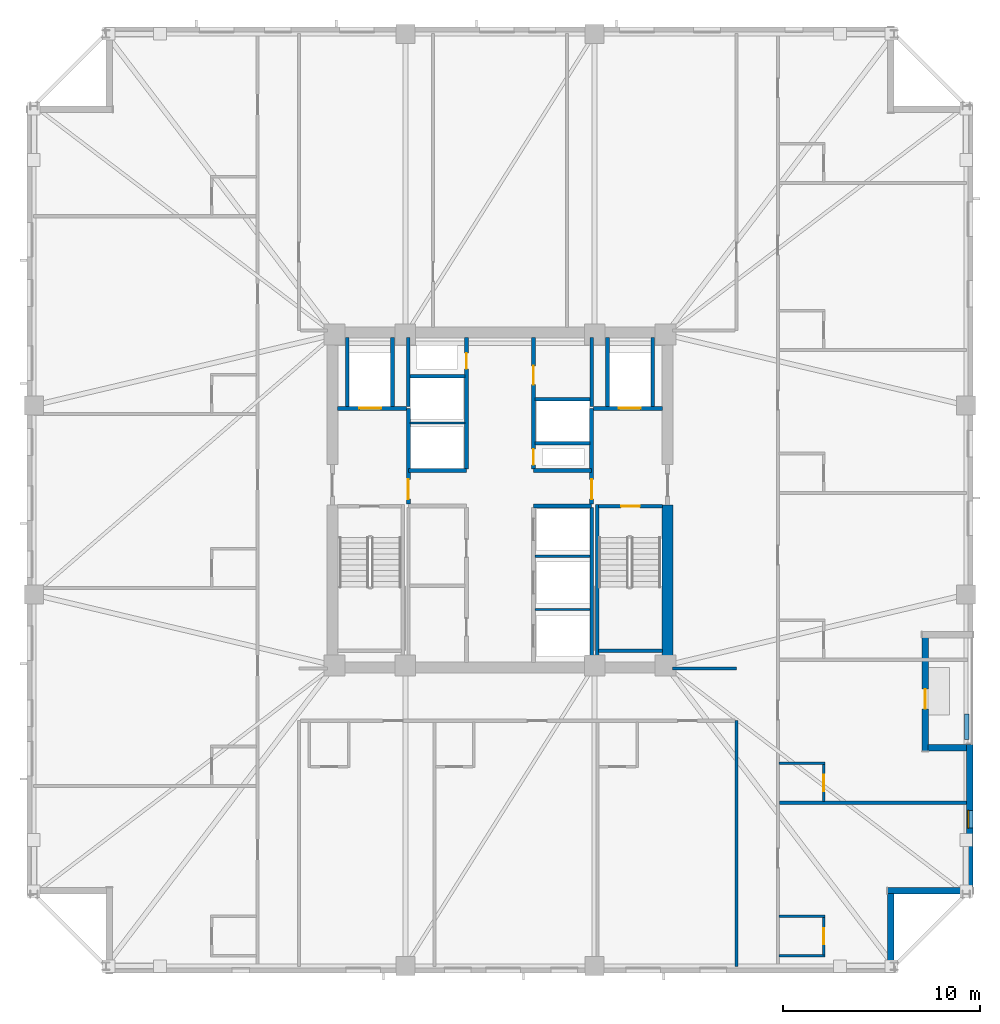
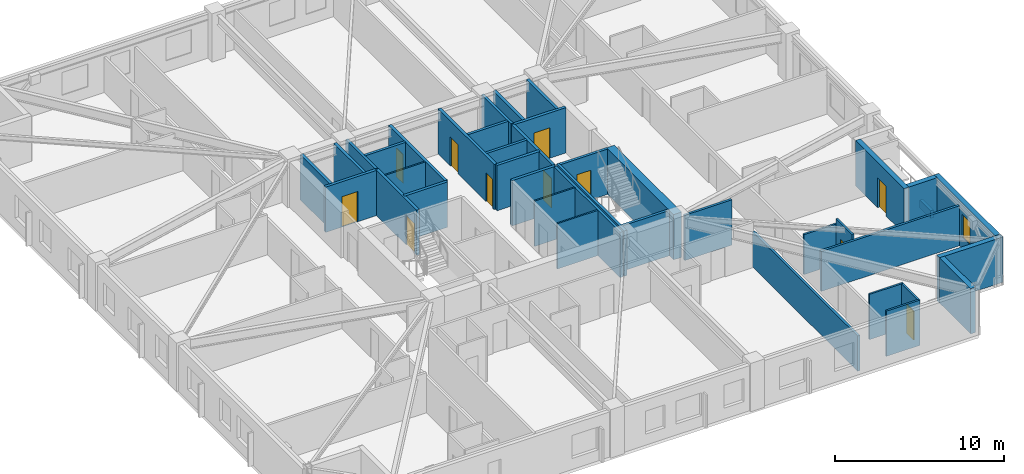
# One storey, part 4 of 11: 40 walls, 11 doors, 1 window, 12 openings.
"""IFC4 building model written with IfcOpenShell, lengths in metres."""

from ifc_helpers import new_model, si_unit, direction, frame, frame_2d, origin, place, context, subcontext, project, spatial, rectangle, extrude, material, layer, layer_set, type_object, element, fill, save


model = new_model("IFC4")

# Units and contexts
model_context = context("Model", 3, precision=1e-05, world=origin(), true_north=direction((0.0, 1.0)))
body_context = subcontext(model_context, "Body", "Model", "MODEL_VIEW")
ifc_project = project(units=[si_unit("LENGTHUNIT", "METRE"), si_unit("AREAUNIT", "SQUARE_METRE"), si_unit("VOLUMEUNIT", "CUBIC_METRE"), si_unit("PLANEANGLEUNIT", "RADIAN"), si_unit("MASSUNIT", "GRAM", prefix="KILO")], contexts=[model_context])

# Site, building, storey
site_placement = place(None, origin())
site = spatial("IfcSite", under=ifc_project, at=site_placement, CompositionType="ELEMENT")
building_placement = place(site_placement, origin())
building = spatial("IfcBuilding", under=site, at=building_placement, Name="Cairnveth Concourse Tower", CompositionType="ELEMENT")
storey_placement = place(building_placement, frame((0.0, 0.0, 172.5)))
storey = spatial("IfcBuildingStorey", under=building, at=storey_placement, Name="L47", CompositionType="ELEMENT", Elevation=172.5)

# Walls
ifc_material_1 = material(Name="Gypsum Plasterboard Partition", Category="gypsum")
ifc_layer_1 = layer(ifc_material_1, 0.159912109375)
ifc_layer_set_1 = layer_set([ifc_layer_1], Name="Gypsum Plasterboard Partition")
wall_type_1 = type_object("IfcWallType", Name="ACOUSTIC PARTY WALL 180", PredefinedType="PARTITIONING", material=ifc_layer_set_1)
wall_1_placement = place(storey_placement, frame((64.0, 15.324951171875, 0.0), z_axis=(0.0, 0.0, 1.0), x_axis=(0.0, 1.0, 0.0)))
element("IfcWall", 1, at=wall_1_placement, inside=storey, type_object=wall_type_1, Name="Interior Wall IW-L47-042", PredefinedType="PARTITIONING", context=body_context, shape_type="SweptSolid", body=[
    extrude(rectangle(XDim=12.47509765625, YDim=0.159912109375, at=frame_2d((6.237548828125, 0.0))), origin(), (0.0, 0.0, 1.0), 2.554931640625),
])
wall_2_placement = place(storey_placement, frame((60.764892578125, 30.449951171875, 0.0), z_axis=(0.0, 0.0, 1.0), x_axis=(1.0, 0.0, 0.0)))
element("IfcWall", 2, at=wall_2_placement, inside=storey, type_object=wall_type_1, Name="Interior Wall IW-L47-044", PredefinedType="PARTITIONING", context=body_context, shape_type="SweptSolid", body=[
    extrude(rectangle(XDim=3.235107421875, YDim=0.159912109375, at=frame_2d((1.61767578125, 0.0))), origin(), (0.0, 0.0, 1.0), 3.280029296875),
])
wall_3_placement = place(storey_placement, frame((66.179931640625, 23.63916015625, 0.0), z_axis=(0.0, 0.0, 1.0), x_axis=(1.0, 0.0, 0.0)))
element("IfcWall", 3, at=wall_3_placement, inside=storey, type_object=wall_type_1, Name="Interior Wall IW-L47-076", PredefinedType="PARTITIONING", context=body_context, shape_type="SweptSolid", body=[
    extrude(rectangle(XDim=9.4951171875, YDim=0.159912109375, at=frame_2d((4.74755859375, 0.0))), origin(), (0.0, 0.0, 1.0), 2.89599609375),
])
ifc_material_2 = material(Name="Concrete N80 (80 MPa)", Category="concrete")
ifc_layer_2 = layer(ifc_material_2, 0.550048828125)
ifc_layer_set_2 = layer_set([ifc_layer_2], Name="Concrete N80 (80 MPa)")
wall_type_2 = type_object("IfcWallType", Name="CORE SHEAR WALL 550", PredefinedType="SHEAR", material=ifc_layer_set_2)
wall_4_placement = place(storey_placement, frame((60.5, 30.764892578125, 0.0), z_axis=(0.0, 0.0, 1.0), x_axis=(0.0, 1.0, 0.0)))
element("IfcWall", 4, at=wall_4_placement, inside=storey, type_object=wall_type_2, Name="Core East Shear Wall S L47", PredefinedType="SHEAR", context=body_context, shape_type="SweptSolid", body=[
    extrude(rectangle(XDim=7.985107421875, YDim=0.550048828125, at=frame_2d((3.99267578125, 0.0))), origin(), (0.0, 0.0, 1.0), 3.280029296875),
])
ifc_material_3 = material(Name="Concrete N50 (50 MPa)", Category="concrete")
ifc_layer_3 = layer(ifc_material_3, 0.179931640625)
ifc_layer_set_3 = layer_set([ifc_layer_3], Name="Concrete N50 (50 MPa)")
wall_type_3 = type_object("IfcWallType", Name="FIRE SHAFT WALL 180", PredefinedType="SOLIDWALL", material=ifc_layer_set_3)
wall_5_placement = place(storey_placement, frame((56.64990234375, 30.760009765625, 0.0), z_axis=(0.0, 0.0, 1.0), x_axis=(0.0, 1.0, 0.0)))
element("IfcWall", 5, at=wall_5_placement, inside=storey, type_object=wall_type_3, Name="Interior Wall IW-L47-027", PredefinedType="SOLIDWALL", context=body_context, shape_type="SweptSolid", body=[
    extrude(rectangle(XDim=7.85498046875, YDim=0.179931640625, at=frame_2d((3.927490234375, 0.0))), origin(), (0.0, 0.0, 1.0), 3.280029296875),
])
wall_6_placement = place(storey_placement, frame((47.35009765625, 43.735107421875, 0.0), z_axis=(0.0, 0.0, 1.0), x_axis=(0.0, 1.0, 0.0)))
element("IfcWall", 6, at=wall_6_placement, inside=storey, type_object=wall_type_3, Name="Interior Wall IW-L47-030", PredefinedType="SOLIDWALL", context=body_context, shape_type="SweptSolid", body=[
    extrude(rectangle(XDim=3.5048828125, YDim=0.179931640625, at=frame_2d((1.75244140625, 0.0))), origin(), (0.0, 0.0, 1.0), 3.280029296875),
])
wall_7_placement = place(storey_placement, frame((47.425048828125, 45.280029296875, 0.0), z_axis=(0.0, 0.0, 1.0), x_axis=(1.0, 0.0, 0.0)))
element("IfcWall", 7, at=wall_7_placement, inside=storey, type_object=wall_type_3, Name="Interior Wall IW-L47-032", PredefinedType="SOLIDWALL", context=body_context, shape_type="SweptSolid", body=[
    extrude(rectangle(XDim=2.7900390625, YDim=0.179931640625, at=frame_2d((1.39501953125, 0.0))), origin(), (0.0, 0.0, 1.0), 3.280029296875),
])
wall_8_placement = place(storey_placement, frame((56.64990234375, 43.735107421875, 0.0), z_axis=(0.0, 0.0, 1.0), x_axis=(0.0, 1.0, 0.0)))
element("IfcWall", 8, at=wall_8_placement, inside=storey, type_object=wall_type_3, Name="Interior Wall IW-L47-033", PredefinedType="SOLIDWALL", context=body_context, shape_type="SweptSolid", body=[
    extrude(rectangle(XDim=3.5048828125, YDim=0.179931640625, at=frame_2d((1.75244140625, 0.0))), origin(), (0.0, 0.0, 1.0), 3.280029296875),
])
wall_9_placement = place(storey_placement, frame((53.784912109375, 41.8798828125, 0.0), z_axis=(0.0, 0.0, 1.0), x_axis=(1.0, 0.0, 0.0)))
element("IfcWall", 9, at=wall_9_placement, inside=storey, type_object=wall_type_3, Name="Interior Wall IW-L47-034", PredefinedType="SOLIDWALL", context=body_context, shape_type="SweptSolid", body=[
    extrude(rectangle(XDim=2.780029296875, YDim=0.179931640625, at=frame_2d((1.39013671875, 0.0))), origin(), (0.0, 0.0, 1.0), 3.280029296875),
])
wall_10_placement = place(storey_placement, frame((53.784912109375, 44.1201171875, 0.0), z_axis=(0.0, 0.0, 1.0), x_axis=(1.0, 0.0, 0.0)))
element("IfcWall", 10, at=wall_10_placement, inside=storey, type_object=wall_type_3, Name="Interior Wall IW-L47-035", PredefinedType="SOLIDWALL", context=body_context, shape_type="SweptSolid", body=[
    extrude(rectangle(XDim=2.7900390625, YDim=0.179931640625, at=frame_2d((1.39501953125, 0.0))), origin(), (0.0, 0.0, 1.0), 3.280029296875),
])

# Wall, opening, door
wall_11_placement = place(storey_placement, frame((57.0048828125, 38.68994140625, 0.0), z_axis=(0.0, 0.0, 1.0), x_axis=(1.0, 0.0, 0.0)))
wall_11 = element("IfcWall", 11, at=wall_11_placement, inside=storey, type_object=wall_type_3, Name="Stair ST-2 Shaft Wall NEAR L47", PredefinedType="SOLIDWALL", context=body_context, shape_type="SweptSolid", body=[
    extrude(rectangle(XDim=3.230224609375, YDim=0.179931640625, at=frame_2d((1.615234375, 0.0))), origin(), (0.0, 0.0, 1.0), 3.280029296875),
])
opening_1_placement = place(wall_11_placement, frame((1.139892578125, 0.0, 0.0)))
opening_1 = element("IfcOpeningElement", 12, at=opening_1_placement, cuts=wall_11, Name="Opening ID12", PredefinedType="OPENING", context=body_context, shape_type="SweptSolid", body=[
    extrude(rectangle(XDim=0.949951171875, YDim=2.14990234375, at=frame_2d((0.47509765625, 1.074951171875))), frame((0.0, 0.099853515625, 0.0), z_axis=(0.0, -1.0, 0.0), x_axis=(1.0, 0.0, 0.0)), (0.0, 0.0, 1.0), 0.199951171875),
])
ifc_material_4 = material(Name="Steel Grade 350", Category="steel")
door_type_1 = type_object("IfcDoorType", Name="FIRE STAIR DOOR 950X2150", OperationType="NOTDEFINED", PredefinedType="DOOR", material=ifc_material_4)
door_1_placement = place(opening_1_placement, origin())
door_1 = element("IfcDoor", 13, at=door_1_placement, inside=storey, type_object=door_type_1, Name="Stair ST-2 Fire Door L47", OperationType="SINGLE_SWING_RIGHT", OverallHeight=2.14990234375, OverallWidth=0.949951171875, PredefinedType="DOOR", context=body_context, shape_type="SweptSolid", body=[
    extrude(rectangle(XDim=0.949951171875, YDim=2.14990234375, at=frame_2d((0.47509765625, 1.074951171875))), frame((0.0, 0.02490234375, 0.0), z_axis=(0.0, -1.0, 0.0), x_axis=(1.0, 0.0, 0.0)), (0.0, 0.0, 1.0), 0.050048828125),
])
fill(opening_1, door_1)

# Walls
wall_12_placement = place(storey_placement, frame((57.0048828125, 31.360107421875, 0.0), z_axis=(0.0, 0.0, 1.0), x_axis=(1.0, 0.0, 0.0)))
element("IfcWall", 14, at=wall_12_placement, inside=storey, type_object=wall_type_3, Name="Stair ST-2 Shaft Wall FAR L47", PredefinedType="SOLIDWALL", context=body_context, shape_type="SweptSolid", body=[
    extrude(rectangle(XDim=3.230224609375, YDim=0.179931640625, at=frame_2d((1.615234375, 0.0))), origin(), (0.0, 0.0, 1.0), 3.280029296875),
])
wall_13_placement = place(storey_placement, frame((56.929931640625, 38.780029296875, 0.0), z_axis=(0.0, 0.0, 1.0), x_axis=(0.0, -1.0, 0.0)))
element("IfcWall", 15, at=wall_13_placement, inside=storey, type_object=wall_type_3, Name="Stair ST-2 Shaft Wall LEFT L47", PredefinedType="SOLIDWALL", context=body_context, shape_type="SweptSolid", body=[
    extrude(rectangle(XDim=8.01708984375, YDim=0.179931640625, at=frame_2d((4.008544921875, 0.0))), origin(), (0.0, 0.0, 1.0), 3.280029296875),
])
ifc_layer_4 = layer(ifc_material_3, 0.199951171875)
ifc_layer_set_4 = layer_set([ifc_layer_4], Name="Concrete N50 (50 MPa)")
wall_type_4 = type_object("IfcWallType", Name="FIRE SHAFT WALL 200", PredefinedType="SOLIDWALL", material=ifc_layer_set_4)
for number, where, z_axis, x_axis, name in (
    (16, (47.35009765625, 40.5, 0.0), (0.0, 0.0, 1.0), (1.0, 0.0, 0.0), "Interior Wall IW-L47-008"),
    (17, (53.699951171875, 38.699951171875, 0.0), (0.0, 0.0, 1.0), (1.0, 0.0, 0.0), "Interior Wall IW-L47-009"),
    (18, (53.699951171875, 40.5, 0.0), (0.0, 0.0, 1.0), (1.0, 0.0, 0.0), "Interior Wall IW-L47-010"),
):
    element("IfcWall", number, at=place(storey_placement, frame(where, z_axis=z_axis, x_axis=x_axis)), inside=storey, type_object=wall_type_4, Name=name, PredefinedType="SOLIDWALL", context=body_context, shape_type="SweptSolid", body=[
        extrude(rectangle(XDim=2.949951171875, YDim=0.199951171875, at=frame_2d((1.47509765625, 0.0))), origin(), (0.0, 0.0, 1.0), 3.280029296875),
    ])

# Wall, opening, door
wall_14_placement = place(storey_placement, frame((50.300048828125, 40.5849609375, 0.0), z_axis=(0.0, 0.0, 1.0), x_axis=(0.0, 1.0, 0.0)))
wall_14 = element("IfcWall", 19, at=wall_14_placement, inside=storey, type_object=wall_type_4, Name="Interior Wall IW-L47-013", PredefinedType="SOLIDWALL", context=body_context, shape_type="SweptSolid", body=[
    extrude(rectangle(XDim=6.655029296875, YDim=0.199951171875, at=frame_2d((3.32763671875, 0.0))), origin(), (0.0, 0.0, 1.0), 3.280029296875),
])
opening_2_placement = place(wall_14_placement, frame((5.06494140625, 0.0, 0.0)))
opening_2 = element("IfcOpeningElement", 20, at=opening_2_placement, cuts=wall_14, Name="Opening ID24", PredefinedType="OPENING", context=body_context, shape_type="SweptSolid", body=[
    extrude(rectangle(XDim=0.800048828125, YDim=2.080078125, at=frame_2d((0.39990234375, 1.0400390625))), frame((0.0, 0.10986328125, 0.0), z_axis=(0.0, -1.0, 0.0), x_axis=(1.0, 0.0, 0.0)), (0.0, 0.0, 1.0), 0.219970703125),
])
door_type_2 = type_object("IfcDoorType", Name="RISER ACCESS DOOR 800X2100", OperationType="NOTDEFINED", PredefinedType="DOOR", material=ifc_material_4)
door_2_placement = place(opening_2_placement, origin())
door_2 = element("IfcDoor", 21, at=door_2_placement, inside=storey, type_object=door_type_2, Name="NW Electrical Riser Access Door L47", OperationType="SINGLE_SWING_RIGHT", OverallHeight=2.080078125, OverallWidth=0.800048828125, PredefinedType="DOOR", context=body_context, shape_type="SweptSolid", body=[
    extrude(rectangle(XDim=0.800048828125, YDim=2.080078125, at=frame_2d((0.39990234375, 1.0400390625))), frame((0.0, 0.02490234375, 0.0), z_axis=(0.0, -1.0, 0.0), x_axis=(1.0, 0.0, 0.0)), (0.0, 0.0, 1.0), 0.050048828125),
])
fill(opening_2, door_2)

# Wall, openings, doors
wall_15_placement = place(storey_placement, frame((53.699951171875, 40.5849609375, 0.0), z_axis=(0.0, 0.0, 1.0), x_axis=(0.0, 1.0, 0.0)))
wall_15 = element("IfcWall", 22, at=wall_15_placement, inside=storey, type_object=wall_type_4, Name="Interior Wall IW-L47-014", PredefinedType="SOLIDWALL", context=body_context, shape_type="SweptSolid", body=[
    extrude(rectangle(XDim=6.655029296875, YDim=0.199951171875, at=frame_2d((3.32763671875, 0.0))), origin(), (0.0, 0.0, 1.0), 3.280029296875),
])
opening_3_placement = place(wall_15_placement, frame((0.195068359375, 0.0, 0.0)))
opening_3 = element("IfcOpeningElement", 23, at=opening_3_placement, cuts=wall_15, Name="Opening ID24", PredefinedType="OPENING", context=body_context, shape_type="SweptSolid", body=[
    extrude(rectangle(XDim=0.800048828125, YDim=2.080078125, at=frame_2d((0.39990234375, 1.0400390625))), frame((0.0, 0.10986328125, 0.0), z_axis=(0.0, -1.0, 0.0), x_axis=(1.0, 0.0, 0.0)), (0.0, 0.0, 1.0), 0.219970703125),
])
opening_4_placement = place(wall_15_placement, frame((4.264892578125, 0.0, 0.0)))
opening_4 = element("IfcOpeningElement", 24, at=opening_4_placement, cuts=wall_15, Name="Opening ID25", PredefinedType="OPENING", context=body_context, shape_type="SweptSolid", body=[
    extrude(rectangle(XDim=0.949951171875, YDim=2.1201171875, at=frame_2d((0.47509765625, 1.06005859375))), frame((0.0, 0.10986328125, 0.0), z_axis=(0.0, -1.0, 0.0), x_axis=(1.0, 0.0, 0.0)), (0.0, 0.0, 1.0), 0.219970703125),
])
door_type_3 = type_object("IfcDoorType", Name="CORE ACCESSIBLE FIRE DOOR 950X2120", OperationType="NOTDEFINED", PredefinedType="DOOR", material=ifc_material_4)
door_3_placement = place(opening_4_placement, origin())
door_3 = element("IfcDoor", 25, at=door_3_placement, inside=storey, type_object=door_type_3, Name="Core NE Accessible WC Door L47", OperationType="SINGLE_SWING_RIGHT", OverallHeight=2.1201171875, OverallWidth=0.949951171875, PredefinedType="DOOR", context=body_context, shape_type="SweptSolid", body=[
    extrude(rectangle(XDim=0.949951171875, YDim=2.1201171875, at=frame_2d((0.47509765625, 1.06005859375))), frame((0.0, 0.02490234375, 0.0), z_axis=(0.0, -1.0, 0.0), x_axis=(1.0, 0.0, 0.0)), (0.0, 0.0, 1.0), 0.050048828125),
])
fill(opening_4, door_3)
door_4_placement = place(opening_3_placement, origin())
door_4 = element("IfcDoor", 26, at=door_4_placement, inside=storey, type_object=door_type_2, Name="Hydraulic Riser Door L47", OperationType="SINGLE_SWING_LEFT", OverallHeight=2.080078125, OverallWidth=0.800048828125, PredefinedType="DOOR", context=body_context, shape_type="SweptSolid", body=[
    extrude(rectangle(XDim=0.800048828125, YDim=2.080078125, at=frame_2d((0.39990234375, 1.0400390625))), frame((0.0, 0.02490234375, 0.0), z_axis=(0.0, -1.0, 0.0), x_axis=(1.0, 0.0, 0.0)), (0.0, 0.0, 1.0), 0.050048828125),
])
fill(opening_3, door_4)

# Wall, opening, door
wall_16_placement = place(storey_placement, frame((47.35009765625, 38.784912109375, 0.0), z_axis=(0.0, 0.0, 1.0), x_axis=(0.0, 1.0, 0.0)))
wall_16 = element("IfcWall", 27, at=wall_16_placement, inside=storey, type_object=wall_type_4, Name="Interior Wall IW-L47-016", PredefinedType="SOLIDWALL", context=body_context, shape_type="SweptSolid", body=[
    extrude(rectangle(XDim=4.864990234375, YDim=0.199951171875, at=frame_2d((2.4326171875, 0.0))), origin(), (0.0, 0.0, 1.0), 3.280029296875),
])
opening_5_placement = place(wall_16_placement, frame((0.264892578125, 0.0, 0.0)))
opening_5 = element("IfcOpeningElement", 28, at=opening_5_placement, cuts=wall_16, Name="Opening ID07", PredefinedType="OPENING", context=body_context, shape_type="SweptSolid", body=[
    extrude(rectangle(XDim=1.0, YDim=2.14990234375, at=frame_2d((0.5, 1.074951171875))), frame((0.0, 0.10986328125, 0.0), z_axis=(0.0, -1.0, 0.0), x_axis=(1.0, 0.0, 0.0)), (0.0, 0.0, 1.0), 0.219970703125),
])
door_type_4 = type_object("IfcDoorType", Name="FIRE CORRIDOR DOOR 1000X2150", OperationType="NOTDEFINED", PredefinedType="DOOR", material=ifc_material_4)
door_5_placement = place(opening_5_placement, origin())
door_5 = element("IfcDoor", 29, at=door_5_placement, inside=storey, type_object=door_type_4, Name="FF Lobby West to Lift Lobby Door L47", OperationType="SINGLE_SWING_RIGHT", OverallHeight=2.14990234375, OverallWidth=1.0, PredefinedType="DOOR", context=body_context, shape_type="SweptSolid", body=[
    extrude(rectangle(XDim=1.0, YDim=2.14990234375, at=frame_2d((0.5, 1.074951171875))), frame((0.0, 0.02490234375, 0.0), z_axis=(0.0, -1.0, 0.0), x_axis=(1.0, 0.0, 0.0)), (0.0, 0.0, 1.0), 0.050048828125),
])
fill(opening_5, door_5)

wall_17_placement = place(storey_placement, frame((43.760009765625, 43.64990234375, 0.0), z_axis=(0.0, 0.0, 1.0), x_axis=(1.0, 0.0, 0.0)))
wall_17 = element("IfcWall", 30, at=wall_17_placement, inside=storey, type_object=wall_type_4, Name="Interior Wall IW-L47-017", PredefinedType="SOLIDWALL", context=body_context, shape_type="SweptSolid", body=[
    extrude(rectangle(XDim=3.5048828125, YDim=0.199951171875, at=frame_2d((1.75244140625, 0.0))), origin(), (0.0, 0.0, 1.0), 3.280029296875),
])
opening_6_placement = place(wall_17_placement, frame((1.110107421875, 0.0, 0.0)))
opening_6 = element("IfcOpeningElement", 31, at=opening_6_placement, cuts=wall_17, Name="Opening LD-1", PredefinedType="OPENING", context=body_context, shape_type="SweptSolid", body=[
    extrude(rectangle(XDim=1.10009765625, YDim=2.199951171875, at=frame_2d((0.550048828125, 1.10009765625))), frame((0.0, 0.10986328125, 0.0), z_axis=(0.0, -1.0, 0.0), x_axis=(1.0, 0.0, 0.0)), (0.0, 0.0, 1.0), 0.219970703125),
])
ifc_material_5 = material(Name="Architectural Bronze Anodised Aluminium 6063-T6", Category="aluminium")
door_type_5 = type_object("IfcDoorType", Name="LIFT LANDING DOOR 1100X2200", OperationType="SLIDING_TO_LEFT", PredefinedType="DOOR", material=ifc_material_5)
door_6_placement = place(opening_6_placement, origin())
door_6 = element("IfcDoor", 32, at=door_6_placement, inside=storey, type_object=door_type_5, Name="Lift FFL1 Landing Door L47", OperationType="SLIDING_TO_LEFT", OverallHeight=2.199951171875, OverallWidth=1.10009765625, PredefinedType="DOOR", context=body_context, shape_type="SweptSolid", body=[
    extrude(rectangle(XDim=1.10009765625, YDim=2.199951171875, at=frame_2d((0.550048828125, 1.10009765625))), frame((0.0, 0.02490234375, 0.0), z_axis=(0.0, -1.0, 0.0), x_axis=(1.0, 0.0, 0.0)), (0.0, 0.0, 1.0), 0.050048828125),
])
fill(opening_6, door_6)

# Walls
for number, where, z_axis, x_axis, name in (
    (33, (46.550048828125, 43.735107421875, 0.0), (0.0, 0.0, 1.0), (0.0, 1.0, 0.0), "Interior Wall IW-L47-018"),
    (34, (44.25, 43.735107421875, 0.0), (0.0, 0.0, 1.0), (0.0, 1.0, 0.0), "Interior Wall IW-L47-019"),
):
    element("IfcWall", number, at=place(storey_placement, frame(where, z_axis=z_axis, x_axis=x_axis)), inside=storey, type_object=wall_type_4, Name=name, PredefinedType="SOLIDWALL", context=body_context, shape_type="SweptSolid", body=[
        extrude(rectangle(XDim=3.5048828125, YDim=0.199951171875, at=frame_2d((1.75244140625, 0.0))), origin(), (0.0, 0.0, 1.0), 3.280029296875),
    ])

# Wall, opening, door
wall_18_placement = place(storey_placement, frame((56.64990234375, 38.784912109375, 0.0), z_axis=(0.0, 0.0, 1.0), x_axis=(0.0, 1.0, 0.0)))
wall_18 = element("IfcWall", 35, at=wall_18_placement, inside=storey, type_object=wall_type_4, Name="Interior Wall IW-L47-021", PredefinedType="SOLIDWALL", context=body_context, shape_type="SweptSolid", body=[
    extrude(rectangle(XDim=4.864990234375, YDim=0.199951171875, at=frame_2d((2.4326171875, 0.0))), origin(), (0.0, 0.0, 1.0), 3.280029296875),
])
opening_7_placement = place(wall_18_placement, frame((0.264892578125, 0.0, 0.0)))
opening_7 = element("IfcOpeningElement", 36, at=opening_7_placement, cuts=wall_18, Name="Opening ID07", PredefinedType="OPENING", context=body_context, shape_type="SweptSolid", body=[
    extrude(rectangle(XDim=1.0, YDim=2.14990234375, at=frame_2d((0.5, 1.074951171875))), frame((0.0, 0.10986328125, 0.0), z_axis=(0.0, -1.0, 0.0), x_axis=(1.0, 0.0, 0.0)), (0.0, 0.0, 1.0), 0.219970703125),
])
door_7_placement = place(opening_7_placement, origin())
door_7 = element("IfcDoor", 37, at=door_7_placement, inside=storey, type_object=door_type_4, Name="FF Lobby East to Lift Lobby Door L47", OperationType="SINGLE_SWING_LEFT", OverallHeight=2.14990234375, OverallWidth=1.0, PredefinedType="DOOR", context=body_context, shape_type="SweptSolid", body=[
    extrude(rectangle(XDim=1.0, YDim=2.14990234375, at=frame_2d((0.5, 1.074951171875))), frame((0.0, 0.02490234375, 0.0), z_axis=(0.0, -1.0, 0.0), x_axis=(1.0, 0.0, 0.0)), (0.0, 0.0, 1.0), 0.050048828125),
])
fill(opening_7, door_7)

wall_19_placement = place(storey_placement, frame((56.735107421875, 43.64990234375, 0.0), z_axis=(0.0, 0.0, 1.0), x_axis=(1.0, 0.0, 0.0)))
wall_19 = element("IfcWall", 38, at=wall_19_placement, inside=storey, type_object=wall_type_4, Name="Interior Wall IW-L47-022", PredefinedType="SOLIDWALL", context=body_context, shape_type="SweptSolid", body=[
    extrude(rectangle(XDim=3.5048828125, YDim=0.199951171875, at=frame_2d((1.75244140625, 0.0))), origin(), (0.0, 0.0, 1.0), 3.280029296875),
])
opening_8_placement = place(wall_19_placement, frame((1.294921875, 0.0, 0.0)))
opening_8 = element("IfcOpeningElement", 39, at=opening_8_placement, cuts=wall_19, Name="Opening LD-1", PredefinedType="OPENING", context=body_context, shape_type="SweptSolid", body=[
    extrude(rectangle(XDim=1.10009765625, YDim=2.199951171875, at=frame_2d((0.550048828125, 1.10009765625))), frame((0.0, 0.10986328125, 0.0), z_axis=(0.0, -1.0, 0.0), x_axis=(1.0, 0.0, 0.0)), (0.0, 0.0, 1.0), 0.219970703125),
])
door_8_placement = place(opening_8_placement, origin())
door_8 = element("IfcDoor", 40, at=door_8_placement, inside=storey, type_object=door_type_5, Name="Lift FFL2 Landing Door L47", OperationType="SLIDING_TO_LEFT", OverallHeight=2.199951171875, OverallWidth=1.10009765625, PredefinedType="DOOR", context=body_context, shape_type="SweptSolid", body=[
    extrude(rectangle(XDim=1.10009765625, YDim=2.199951171875, at=frame_2d((0.550048828125, 1.10009765625))), frame((0.0, 0.02490234375, 0.0), z_axis=(0.0, -1.0, 0.0), x_axis=(1.0, 0.0, 0.0)), (0.0, 0.0, 1.0), 0.050048828125),
])
fill(opening_8, door_8)

# Walls
for number, where, z_axis, x_axis, name in (
    (41, (57.449951171875, 43.735107421875, 0.0), (0.0, 0.0, 1.0), (0.0, 1.0, 0.0), "Interior Wall IW-L47-023"),
    (42, (59.75, 43.735107421875, 0.0), (0.0, 0.0, 1.0), (0.0, 1.0, 0.0), "Interior Wall IW-L47-024"),
):
    element("IfcWall", number, at=place(storey_placement, frame(where, z_axis=z_axis, x_axis=x_axis)), inside=storey, type_object=wall_type_4, Name=name, PredefinedType="SOLIDWALL", context=body_context, shape_type="SweptSolid", body=[
        extrude(rectangle(XDim=3.5048828125, YDim=0.199951171875, at=frame_2d((1.75244140625, 0.0))), origin(), (0.0, 0.0, 1.0), 3.280029296875),
    ])
ifc_layer_5 = layer(ifc_material_1, 0.110107421875)
ifc_layer_set_5 = layer_set([ifc_layer_5], Name="Gypsum Plasterboard Partition")
wall_type_5 = type_object("IfcWallType", Name="SHAFT DIVIDER WALL 140", PredefinedType="PARTITIONING", material=ifc_layer_set_5)
for number, where, z_axis, x_axis, name in (
    (43, (53.784912109375, 33.449951171875, 0.0), (0.0, 0.0, 1.0), (1.0, 0.0, 0.0), "Interior Wall IW-L47-028"),
    (44, (53.784912109375, 36.14990234375, 0.0), (0.0, 0.0, 1.0), (1.0, 0.0, 0.0), "Interior Wall IW-L47-029"),
):
    element("IfcWall", number, at=place(storey_placement, frame(where, z_axis=z_axis, x_axis=x_axis)), inside=storey, type_object=wall_type_5, Name=name, PredefinedType="PARTITIONING", context=body_context, shape_type="SweptSolid", body=[
        extrude(rectangle(XDim=2.7900390625, YDim=0.110107421875, at=frame_2d((1.39501953125, 0.0))), origin(), (0.0, 0.0, 1.0), 3.280029296875),
    ])
wall_20_placement = place(storey_placement, frame((47.43505859375, 42.89990234375, 0.0), z_axis=(0.0, 0.0, 1.0), x_axis=(1.0, 0.0, 0.0)))
element("IfcWall", 45, at=wall_20_placement, inside=storey, type_object=wall_type_5, Name="Interior Wall IW-L47-031", PredefinedType="PARTITIONING", context=body_context, shape_type="SweptSolid", body=[
    extrude(rectangle(XDim=2.780029296875, YDim=0.110107421875, at=frame_2d((1.39013671875, 0.0))), origin(), (0.0, 0.0, 1.0), 3.280029296875),
])
ifc_material_6 = material(Name="Dressed Melbourne Bluestone Cladding", Category="masonry")
ifc_layer_6 = layer(ifc_material_6, 0.219970703125)
ifc_layer_set_6 = layer_set([ifc_layer_6], Name="Dressed Melbourne Bluestone Cladding")
wall_type_6 = type_object("IfcWallType", Name="TERRACE PLANTER CURB WALL 220", PredefinedType="PARAPET", material=ifc_layer_set_6)
wall_21_placement = place(storey_placement, frame((75.679931640625, 26.85009765625, 0.0), z_axis=(0.0, 0.0, 1.0), x_axis=(0.0, 1.0, 0.0)))
element("IfcWall", 46, at=wall_21_placement, inside=storey, type_object=wall_type_6, Name="Exterior Wall PLNT-L47-TERR", PredefinedType="PARAPET", context=body_context, shape_type="SweptSolid", body=[
    extrude(rectangle(XDim=1.2998046875, YDim=0.219970703125, at=frame_2d((0.64990234375, 0.0))), origin(), (0.0, 0.0, 1.0), 0.550048828125),
])
ifc_layer_7 = layer(ifc_material_1, 0.1298828125)
ifc_layer_set_7 = layer_set([ifc_layer_7], Name="Gypsum Plasterboard Partition")
wall_type_7 = type_object("IfcWallType", Name="WET AREA PARTITION 140", PredefinedType="PLUMBINGWALL", material=ifc_layer_set_7)
for number, where, z_axis, x_axis, name in (
    (47, (66.1650390625, 15.8701171875, 0.0), (0.0, 0.0, 1.0), (1.0, 0.0, 0.0), "Interior Wall IW-L47-073"),
    (48, (66.1650390625, 17.8701171875, 0.0), (0.0, 0.0, 1.0), (1.0, 0.0, 0.0), "Interior Wall IW-L47-074"),
):
    element("IfcWall", number, at=place(storey_placement, frame(where, z_axis=z_axis, x_axis=x_axis)), inside=storey, type_object=wall_type_7, Name=name, PredefinedType="PLUMBINGWALL", context=body_context, shape_type="SweptSolid", body=[
        extrude(rectangle(XDim=2.31494140625, YDim=0.1298828125, at=frame_2d((1.157470703125, 0.0))), origin(), (0.0, 0.0, 1.0), 3.280029296875),
    ])

# Wall, opening, door
wall_22_placement = place(storey_placement, frame((68.429931640625, 15.919921875, 0.0), z_axis=(0.0, 0.0, 1.0), x_axis=(0.0, 1.0, 0.0)))
wall_22 = element("IfcWall", 49, at=wall_22_placement, inside=storey, type_object=wall_type_7, Name="Interior Wall IW-L47-075", PredefinedType="PLUMBINGWALL", context=body_context, shape_type="SweptSolid", body=[
    extrude(rectangle(XDim=1.900146484375, YDim=0.1298828125, at=frame_2d((0.9501953125, 0.0))), origin(), (0.0, 0.0, 1.0), 3.280029296875),
])
opening_9_placement = place(wall_22_placement, frame((0.5400390625, 0.0, 0.0)))
opening_9 = element("IfcOpeningElement", 50, at=opening_9_placement, cuts=wall_22, Name="Opening ID22", PredefinedType="OPENING", context=body_context, shape_type="SweptSolid", body=[
    extrude(rectangle(XDim=0.820068359375, YDim=2.10009765625, at=frame_2d((0.41015625, 1.050048828125))), frame((0.0, 0.074951171875, 0.0), z_axis=(0.0, -1.0, 0.0), x_axis=(1.0, 0.0, 0.0)), (0.0, 0.0, 1.0), 0.14990234375),
])
ifc_material_7 = material(Name="Solid Core Hardwood Timber Leaf", Category="wood")
door_type_6 = type_object("IfcDoorType", Name="INTERIOR WC DOOR 820X2100", OperationType="NOTDEFINED", PredefinedType="DOOR", material=ifc_material_7)
door_9_placement = place(opening_9_placement, origin())
door_9 = element("IfcDoor", 51, at=door_9_placement, inside=storey, type_object=door_type_6, Name="En-Suite Door L47-E1", OperationType="SINGLE_SWING_RIGHT", OverallHeight=2.10009765625, OverallWidth=0.820068359375, PredefinedType="DOOR", context=body_context, shape_type="SweptSolid", body=[
    extrude(rectangle(XDim=0.820068359375, YDim=2.10009765625, at=frame_2d((0.41015625, 1.050048828125))), frame((0.0, 0.02490234375, 0.0), z_axis=(0.0, -1.0, 0.0), x_axis=(1.0, 0.0, 0.0)), (0.0, 0.0, 1.0), 0.050048828125),
])
fill(opening_9, door_9)

# Wall
wall_23_placement = place(storey_placement, frame((66.1650390625, 25.63916015625, 0.0), z_axis=(0.0, 0.0, 1.0), x_axis=(1.0, 0.0, 0.0)))
element("IfcWall", 52, at=wall_23_placement, inside=storey, type_object=wall_type_7, Name="Interior Wall IW-L47-077", PredefinedType="PLUMBINGWALL", context=body_context, shape_type="SweptSolid", body=[
    extrude(rectangle(XDim=2.31494140625, YDim=0.1298828125, at=frame_2d((1.157470703125, 0.0))), origin(), (0.0, 0.0, 1.0), 2.89599609375),
])

# Wall, opening, door
wall_24_placement = place(storey_placement, frame((68.429931640625, 23.7041015625, 0.0), z_axis=(0.0, 0.0, 1.0), x_axis=(0.0, 1.0, 0.0)))
wall_24 = element("IfcWall", 53, at=wall_24_placement, inside=storey, type_object=wall_type_7, Name="Interior Wall IW-L47-078", PredefinedType="PLUMBINGWALL", context=body_context, shape_type="SweptSolid", body=[
    extrude(rectangle(XDim=1.885009765625, YDim=0.1298828125, at=frame_2d((0.9423828125, 0.0))), origin(), (0.0, 0.0, 1.0), 3.280029296875),
])
opening_10_placement = place(wall_24_placement, frame((0.52490234375, 0.0, 0.0)))
opening_10 = element("IfcOpeningElement", 54, at=opening_10_placement, cuts=wall_24, Name="Opening ID22", PredefinedType="OPENING", context=body_context, shape_type="SweptSolid", body=[
    extrude(rectangle(XDim=0.820068359375, YDim=2.10009765625, at=frame_2d((0.41015625, 1.050048828125))), frame((0.0, 0.074951171875, 0.0), z_axis=(0.0, -1.0, 0.0), x_axis=(1.0, 0.0, 0.0)), (0.0, 0.0, 1.0), 0.14990234375),
])
door_10_placement = place(opening_10_placement, origin())
door_10 = element("IfcDoor", 55, at=door_10_placement, inside=storey, type_object=door_type_6, Name="En-Suite Door L47-E2", OperationType="SINGLE_SWING_RIGHT", OverallHeight=2.10009765625, OverallWidth=0.820068359375, PredefinedType="DOOR", context=body_context, shape_type="SweptSolid", body=[
    extrude(rectangle(XDim=0.820068359375, YDim=2.10009765625, at=frame_2d((0.41015625, 1.050048828125))), frame((0.0, 0.02490234375, 0.0), z_axis=(0.0, -1.0, 0.0), x_axis=(1.0, 0.0, 0.0)), (0.0, 0.0, 1.0), 0.050048828125),
])
fill(opening_10, door_10)

# Wall, opening, window
ifc_material_8 = material(Name="Hawthorn Red-Ochre Fired Clay Brick Masonry", Category="masonry")
ifc_layer_8 = layer(ifc_material_8, 0.340087890625)
ifc_layer_set_8 = layer_set([ifc_layer_8], Name="Hawthorn Red-Ochre Fired Clay Brick Masonry")
wall_type_8 = type_object("IfcWallType", Name="ZONE 2 BRICK PIER SPANDREL WALL 340", PredefinedType="SOLIDWALL", material=ifc_layer_set_8)
wall_25_placement = place(storey_placement, frame((75.830078125, 26.60009765625, 0.0), z_axis=(0.0, 0.0, 1.0), x_axis=(0.0, -1.0, 0.0)))
wall_25 = element("IfcWall", 56, at=wall_25_placement, inside=storey, type_object=wall_type_8, Name="Exterior Wall EW-L47-S00", PredefinedType="SOLIDWALL", context=body_context, shape_type="SweptSolid", body=[
    extrude(rectangle(XDim=7.281982421875, YDim=0.340087890625, at=frame_2d((3.64111328125, 0.0))), origin(), (0.0, 0.0, 1.0), 3.280029296875),
])
opening_11_placement = place(wall_25_placement, frame((3.35009765625, 0.0, 0.800048828125)))
opening_11 = element("IfcOpeningElement", 57, at=opening_11_placement, cuts=wall_25, Name="Opening W13", PredefinedType="OPENING", context=body_context, shape_type="SweptSolid", body=[
    extrude(rectangle(XDim=0.89990234375, YDim=1.659912109375, at=frame_2d((0.449951171875, 0.830078125))), frame((0.0, 0.179931640625, 0.0), z_axis=(0.0, -1.0, 0.0), x_axis=(1.0, 0.0, 0.0)), (0.0, 0.0, 1.0), 0.360107421875),
])
ifc_material_9 = material(Name="Double Glazed Low-E Clear Glass", Category="glass")
window_type = type_object("IfcWindowType", Name="DEEP-SET BEDROOM LANCET WINDOW 900X1750", PartitioningType="DOUBLE_PANEL_VERTICAL", PredefinedType="WINDOW", material=ifc_material_9)
window_placement = place(opening_11_placement, origin())
window = element("IfcWindow", 58, at=window_placement, inside=storey, type_object=window_type, Name="Dwelling Lancet Window L47-DW2", OverallHeight=1.659912109375, OverallWidth=0.89990234375, PartitioningType="SINGLE_PANEL", PredefinedType="WINDOW", context=body_context, shape_type="SweptSolid", body=[
    extrude(rectangle(XDim=0.89990234375, YDim=1.659912109375, at=frame_2d((0.449951171875, 0.830078125))), frame((0.0, -0.0400390625, 0.0), z_axis=(0.0, -1.0, 0.0), x_axis=(1.0, 0.0, 0.0)), (0.0, 0.0, 1.0), 0.06005859375),
])
fill(opening_11, window)

# Walls
wall_26_placement = place(storey_placement, frame((76.0, 19.169921875, 0.0), z_axis=(0.0, 0.0, 1.0), x_axis=(-1.0, 0.0, 0.0)))
element("IfcWall", 59, at=wall_26_placement, inside=storey, type_object=wall_type_8, Name="Exterior Wall EW-L47-S01", PredefinedType="SOLIDWALL", context=body_context, shape_type="SweptSolid", body=[
    extrude(rectangle(XDim=4.340087890625, YDim=0.340087890625, at=frame_2d((2.169921875, 0.0))), origin(), (0.0, 0.0, 1.0), 3.280029296875),
])
wall_27_placement = place(storey_placement, frame((71.830078125, 19.02197265625, 0.0), z_axis=(0.0, 0.0, 1.0), x_axis=(0.0, -1.0, 0.0)))
element("IfcWall", 60, at=wall_27_placement, inside=storey, type_object=wall_type_8, Name="Exterior Wall EW-L47-S02", PredefinedType="SOLIDWALL", context=body_context, shape_type="SweptSolid", body=[
    extrude(rectangle(XDim=3.703857421875, YDim=0.340087890625, at=frame_2d((1.85205078125, 0.0))), origin(), (0.0, 0.0, 1.0), 3.280029296875),
])

# Wall, opening, door
wall_28_placement = place(storey_placement, frame((73.580078125, 32.02197265625, 0.0), z_axis=(0.0, 0.0, 1.0), x_axis=(0.0, -1.0, 0.0)))
wall_28 = element("IfcWall", 61, at=wall_28_placement, inside=storey, type_object=wall_type_8, Name="Exterior Wall EW-L47-S14", PredefinedType="SOLIDWALL", context=body_context, shape_type="SweptSolid", body=[
    extrude(rectangle(XDim=5.761962890625, YDim=0.340087890625, at=frame_2d((2.880859375, 0.0))), origin(), (0.0, 0.0, 1.0), 3.280029296875),
])
opening_12_placement = place(wall_28_placement, frame((2.621337890625, 0.0, 0.0)))
opening_12 = element("IfcOpeningElement", 62, at=opening_12_placement, cuts=wall_28, Name="Opening ED4", PredefinedType="OPENING", context=body_context, shape_type="SweptSolid", body=[
    extrude(rectangle(XDim=1.0, YDim=2.14990234375, at=frame_2d((0.5, 1.074951171875))), frame((0.0, 0.179931640625, 0.0), z_axis=(0.0, -1.0, 0.0), x_axis=(1.0, 0.0, 0.0)), (0.0, 0.0, 1.0), 0.360107421875),
])
door_type_7 = type_object("IfcDoorType", Name="TERRACE GLAZED DOOR 1000X2150", OperationType="NOTDEFINED", PredefinedType="DOOR", material=ifc_material_5)
door_11_placement = place(opening_12_placement, origin())
door_11 = element("IfcDoor", 63, at=door_11_placement, inside=storey, type_object=door_type_7, Name="Spiral Terrace Door L47", OperationType="SINGLE_SWING_RIGHT", OverallHeight=2.14990234375, OverallWidth=1.0, PredefinedType="DOOR", context=body_context, shape_type="SweptSolid", body=[
    extrude(rectangle(XDim=1.0, YDim=2.14990234375, at=frame_2d((0.5, 1.074951171875))), frame((0.0, 0.02490234375, 0.0), z_axis=(0.0, -1.0, 0.0), x_axis=(1.0, 0.0, 0.0)), (0.0, 0.0, 1.0), 0.050048828125),
])
fill(opening_12, door_11)

# Wall
wall_29_placement = place(storey_placement, frame((73.72802734375, 26.429931640625, 0.0), z_axis=(0.0, 0.0, 1.0), x_axis=(1.0, 0.0, 0.0)))
element("IfcWall", 64, at=wall_29_placement, inside=storey, type_object=wall_type_8, Name="Exterior Wall EW-L47-S15", PredefinedType="SOLIDWALL", context=body_context, shape_type="SweptSolid", body=[
    extrude(rectangle(XDim=1.953857421875, YDim=0.340087890625, at=frame_2d((0.97705078125, 0.0))), origin(), (0.0, 0.0, 1.0), 3.280029296875),
])

save(model, "model.ifc")
